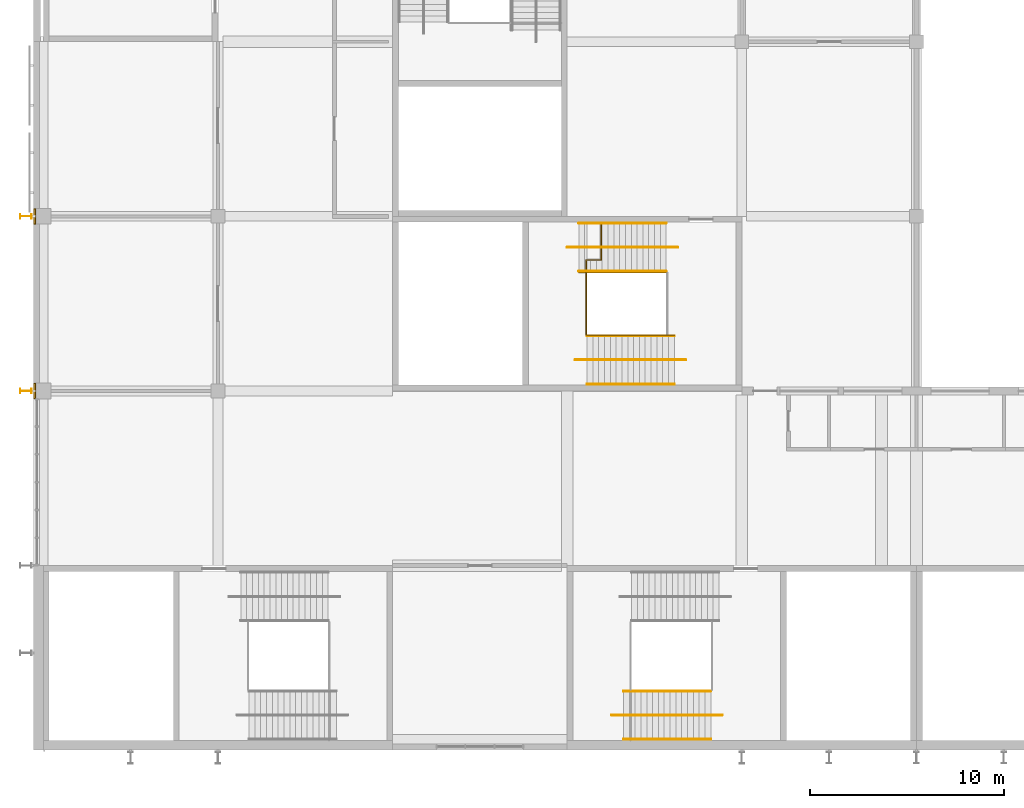
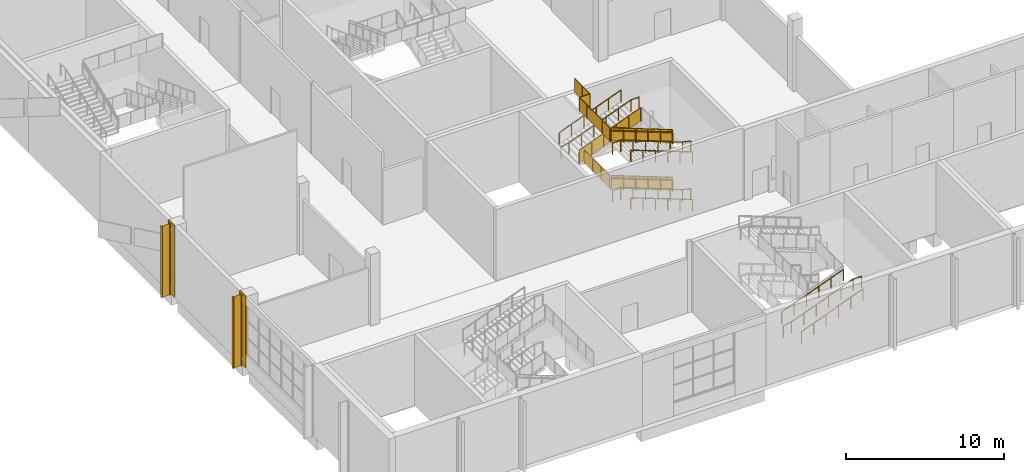
# One storey, part 61 of 84: 17 railings, 2 coverings, 2 shading devices.
"""IFC4 building model written with IfcOpenShell, lengths in metres."""

from ifc_helpers import new_model, si_unit, direction, frame, origin, origin_2d, place, context, subcontext, project, spatial, polyline, circle, i_section, outline, extrude, material, layer, layer_set, material_profile, profile_set, type_object, element, save


model = new_model("IFC4")

# Units and contexts
model_context = context("Model", 3, precision=1e-05, world=origin(), true_north=direction((0.0, 1.0)))
body_context = subcontext(model_context, "Body", "Model", "MODEL_VIEW")
ifc_project = project(units=[si_unit("LENGTHUNIT", "METRE"), si_unit("AREAUNIT", "SQUARE_METRE"), si_unit("VOLUMEUNIT", "CUBIC_METRE"), si_unit("PLANEANGLEUNIT", "RADIAN"), si_unit("MASSUNIT", "GRAM", prefix="KILO")], contexts=[model_context])

# Site, building, storey
site_placement = place(None, origin())
site = spatial("IfcSite", under=ifc_project, at=site_placement, CompositionType="ELEMENT")
building_placement = place(site_placement, origin())
building = spatial("IfcBuilding", under=site, at=building_placement, Name="Silverbay Arena", CompositionType="ELEMENT")
storey_placement = place(building_placement, frame((0.0, 0.0, 28.0)))
storey = spatial("IfcBuildingStorey", under=building, at=storey_placement, Name="L04", CompositionType="ELEMENT", Elevation=28.0)

# Coverings
ifc_material_1 = material(Name="Aluminium composite cladding", Category="aluminium")
ifc_layer = layer(ifc_material_1, 0.10009765625)
ifc_layer_set = layer_set([ifc_layer], Name="Aluminium composite cladding")
covering_type = type_object("IfcCoveringType", Name="Column cladding 100", PredefinedType="CLADDING", material=ifc_layer_set)
covering_1_placement = place(storey_placement, origin())
element("IfcCovering", 1, at=covering_1_placement, inside=storey, type_object=covering_type, Name="West column cladding L04 5", PredefinedType="CLADDING", context=body_context, shape_type="SweptSolid", body=[
    extrude(outline(polyline([(53.5, 35.60009765625), (53.60009765625, 35.60009765625), (53.60009765625, 36.39990234375), (53.5, 36.39990234375), (53.5, 35.60009765625)])), origin(), (0.0, 0.0, 1.0), 5.5),
])
covering_2_placement = place(storey_placement, origin())
element("IfcCovering", 2, at=covering_2_placement, inside=storey, type_object=covering_type, Name="West column cladding L04 7", PredefinedType="CLADDING", context=body_context, shape_type="SweptSolid", body=[
    extrude(outline(polyline([(53.5, 44.60009765625), (53.60009765625, 44.60009765625), (53.60009765625, 45.39990234375), (53.5, 45.39990234375), (53.5, 44.60009765625)])), origin(), (0.0, 0.0, 1.0), 5.5),
])

# Railings
ifc_material_2 = material(Name="Stainless steel", Category="steel")
railing_type_1 = type_object("IfcRailingType", Name="Stair guard 1100", PredefinedType="GUARDRAIL", material=ifc_material_2)
railing_1_placement = place(storey_placement, frame((86.5205078125, 38.875, 0.114501953125)))
element("IfcRailing", 3, at=railing_1_placement, inside=storey, type_object=railing_type_1, Name="Stair ST-SW1 L04 to L05 flight 1 guard left", PredefinedType="GUARDRAIL", context=body_context, shape_type="SweptSolid", body=[
    extrude(circle(Radius=0.02392578125, at=origin_2d()), frame((0.0, 0.0, 1.076171875), z_axis=(-0.93417907455, 0.0, 0.356804507641), x_axis=(0.0, -1.0, 0.0)), (0.0, 0.0, 1.0), 4.817138671875),
    extrude(outline(polyline([(-0.008056640625, 0.046875), (0.907958984375, 0.396728515625), (0.907958984375, 1.39990234375), (-0.008056640625, 1.050048828125), (-0.008056640625, 0.046875)])), frame((0.0, -0.0029296875, 0.0), z_axis=(0.0, 1.0, 0.0), x_axis=(-1.0, 0.0, 0.0)), (0.0, 0.0, 1.0), 0.006103515625),
    extrude(outline(polyline([(-0.008056640625, 0.390625), (0.907958984375, 0.740478515625), (0.907958984375, 1.74365234375), (-0.008056640625, 1.393798828125), (-0.008056640625, 0.390625)])), frame((-0.89990234375, -0.0029296875, 0.0), z_axis=(0.0, 1.0, 0.0), x_axis=(-1.0, 0.0, 0.0)), (0.0, 0.0, 1.0), 0.006103515625),
    extrude(outline(polyline([(-0.008056640625, 0.734375), (0.907958984375, 1.084228515625), (0.907958984375, 2.08740234375), (-0.008056640625, 1.737548828125), (-0.008056640625, 0.734375)])), frame((-1.800048828125, -0.0029296875, 0.0), z_axis=(0.0, 1.0, 0.0), x_axis=(-1.0, 0.0, 0.0)), (0.0, 0.0, 1.0), 0.006103515625),
    extrude(outline(polyline([(-0.008056640625, 1.078125), (0.907958984375, 1.427978515625), (0.907958984375, 2.43115234375), (-0.008056640625, 2.081298828125), (-0.008056640625, 1.078125)])), frame((-2.699951171875, -0.0029296875, 0.0), z_axis=(0.0, 1.0, 0.0), x_axis=(-1.0, 0.0, 0.0)), (0.0, 0.0, 1.0), 0.006103515625),
    extrude(outline(polyline([(-0.008056640625, 1.421875), (0.907958984375, 1.771728515625), (0.907958984375, 2.77490234375), (-0.008056640625, 2.425048828125), (-0.008056640625, 1.421875)])), frame((-3.60009765625, -0.0029296875, 0.0), z_axis=(0.0, 1.0, 0.0), x_axis=(-1.0, 0.0, 0.0)), (0.0, 0.0, 1.0), 0.006103515625),
    extrude(circle(Radius=0.02099609375, at=origin_2d()), origin(), (0.0, 0.0, 1.0), 1.052001953125),
    extrude(circle(Radius=0.02099609375, at=origin_2d()), frame((-0.89990234375, 0.0, 0.34375)), (0.0, 0.0, 1.0), 1.052001953125),
    extrude(circle(Radius=0.02099609375, at=origin_2d()), frame((-1.800048828125, 0.0, 0.6875)), (0.0, 0.0, 1.0), 1.052001953125),
    extrude(circle(Radius=0.02099609375, at=origin_2d()), frame((-2.699951171875, 0.0, 1.03125)), (0.0, 0.0, 1.0), 1.052001953125),
    extrude(circle(Radius=0.02099609375, at=origin_2d()), frame((-3.60009765625, 0.0, 1.375)), (0.0, 0.0, 1.0), 1.052001953125),
    extrude(circle(Radius=0.02099609375, at=origin_2d()), frame((-4.5, 0.0, 1.71875)), (0.0, 0.0, 1.0), 1.052001953125),
])
railing_2_placement = place(storey_placement, frame((81.60009765625, 42.125, 1.947998046875)))
element("IfcRailing", 4, at=railing_2_placement, inside=storey, type_object=railing_type_1, Name="Stair ST-SW1 L04 to L05 flight 2 guard right", PredefinedType="GUARDRAIL", context=body_context, shape_type="SweptSolid", body=[
    extrude(circle(Radius=0.02392578125, at=origin_2d()), frame((0.0, 0.0, 1.076171875), z_axis=(0.93417907455, 0.0, 0.356804507641), x_axis=(0.0, 1.0, 0.0)), (0.0, 0.0, 1.0), 4.817138671875),
    extrude(outline(polyline([(-0.008056640625, 0.046875), (0.907958984375, 0.396728515625), (0.907958984375, 1.39990234375), (-0.008056640625, 1.050048828125), (-0.008056640625, 0.046875)])), frame((0.0, 0.0029296875, 0.0), z_axis=(0.0, -1.0, 0.0), x_axis=(1.0, 0.0, 0.0)), (0.0, 0.0, 1.0), 0.006103515625),
    extrude(outline(polyline([(-0.008056640625, 0.390625), (0.907958984375, 0.740478515625), (0.907958984375, 1.74365234375), (-0.008056640625, 1.393798828125), (-0.008056640625, 0.390625)])), frame((0.89990234375, 0.0029296875, 0.0), z_axis=(0.0, -1.0, 0.0), x_axis=(1.0, 0.0, 0.0)), (0.0, 0.0, 1.0), 0.006103515625),
    extrude(outline(polyline([(-0.008056640625, 0.734375), (0.907958984375, 1.084228515625), (0.907958984375, 2.08740234375), (-0.008056640625, 1.737548828125), (-0.008056640625, 0.734375)])), frame((1.800048828125, 0.0029296875, 0.0), z_axis=(0.0, -1.0, 0.0), x_axis=(1.0, 0.0, 0.0)), (0.0, 0.0, 1.0), 0.006103515625),
    extrude(outline(polyline([(-0.008056640625, 1.078125), (0.907958984375, 1.427978515625), (0.907958984375, 2.43115234375), (-0.008056640625, 2.081298828125), (-0.008056640625, 1.078125)])), frame((2.699951171875, 0.0029296875, 0.0), z_axis=(0.0, -1.0, 0.0), x_axis=(1.0, 0.0, 0.0)), (0.0, 0.0, 1.0), 0.006103515625),
    extrude(outline(polyline([(-0.008056640625, 1.421875), (0.907958984375, 1.771728515625), (0.907958984375, 2.77490234375), (-0.008056640625, 2.425048828125), (-0.008056640625, 1.421875)])), frame((3.60009765625, 0.0029296875, 0.0), z_axis=(0.0, -1.0, 0.0), x_axis=(1.0, 0.0, 0.0)), (0.0, 0.0, 1.0), 0.006103515625),
    extrude(circle(Radius=0.02099609375, at=origin_2d()), origin(), (0.0, 0.0, 1.0), 1.052001953125),
    extrude(circle(Radius=0.02099609375, at=origin_2d()), frame((0.89990234375, 0.0, 0.34375)), (0.0, 0.0, 1.0), 1.052001953125),
    extrude(circle(Radius=0.02099609375, at=origin_2d()), frame((1.800048828125, 0.0, 0.6875)), (0.0, 0.0, 1.0), 1.052001953125),
    extrude(circle(Radius=0.02099609375, at=origin_2d()), frame((2.699951171875, 0.0, 1.03125)), (0.0, 0.0, 1.0), 1.052001953125),
    extrude(circle(Radius=0.02099609375, at=origin_2d()), frame((3.60009765625, 0.0, 1.375)), (0.0, 0.0, 1.0), 1.052001953125),
    extrude(circle(Radius=0.02099609375, at=origin_2d()), frame((4.5, 0.0, 1.71875)), (0.0, 0.0, 1.0), 1.052001953125),
])
railing_3_placement = place(storey_placement, frame((86.5205078125, 38.875, 3.78125)))
element("IfcRailing", 5, at=railing_3_placement, inside=storey, type_object=railing_type_1, Name="Stair ST-SW1 L04 to L05 flight 3 guard left", PredefinedType="GUARDRAIL", context=body_context, shape_type="SweptSolid", body=[
    extrude(circle(Radius=0.02392578125, at=origin_2d()), frame((0.0, 0.0, 1.076171875), z_axis=(-0.93417907455, 0.0, 0.356804507641), x_axis=(0.0, -1.0, 0.0)), (0.0, 0.0, 1.0), 4.817138671875),
    extrude(outline(polyline([(-0.008056640625, 0.046875), (0.907958984375, 0.396728515625), (0.907958984375, 1.39990234375), (-0.008056640625, 1.050048828125), (-0.008056640625, 0.046875)])), frame((0.0, -0.0029296875, 0.0), z_axis=(0.0, 1.0, 0.0), x_axis=(-1.0, 0.0, 0.0)), (0.0, 0.0, 1.0), 0.006103515625),
    extrude(outline(polyline([(-0.008056640625, 0.390625), (0.907958984375, 0.740478515625), (0.907958984375, 1.74365234375), (-0.008056640625, 1.393798828125), (-0.008056640625, 0.390625)])), frame((-0.89990234375, -0.0029296875, 0.0), z_axis=(0.0, 1.0, 0.0), x_axis=(-1.0, 0.0, 0.0)), (0.0, 0.0, 1.0), 0.006103515625),
    extrude(outline(polyline([(-0.008056640625, 0.734375), (0.907958984375, 1.084228515625), (0.907958984375, 2.08740234375), (-0.008056640625, 1.737548828125), (-0.008056640625, 0.734375)])), frame((-1.800048828125, -0.0029296875, 0.0), z_axis=(0.0, 1.0, 0.0), x_axis=(-1.0, 0.0, 0.0)), (0.0, 0.0, 1.0), 0.006103515625),
    extrude(outline(polyline([(-0.008056640625, 1.078125), (0.907958984375, 1.427978515625), (0.907958984375, 2.43115234375), (-0.008056640625, 2.081298828125), (-0.008056640625, 1.078125)])), frame((-2.699951171875, -0.0029296875, 0.0), z_axis=(0.0, 1.0, 0.0), x_axis=(-1.0, 0.0, 0.0)), (0.0, 0.0, 1.0), 0.006103515625),
    extrude(outline(polyline([(-0.008056640625, 1.421875), (0.907958984375, 1.771728515625), (0.907958984375, 2.77490234375), (-0.008056640625, 2.425048828125), (-0.008056640625, 1.421875)])), frame((-3.60009765625, -0.0029296875, 0.0), z_axis=(0.0, 1.0, 0.0), x_axis=(-1.0, 0.0, 0.0)), (0.0, 0.0, 1.0), 0.006103515625),
    extrude(circle(Radius=0.02099609375, at=origin_2d()), origin(), (0.0, 0.0, 1.0), 1.052001953125),
    extrude(circle(Radius=0.02099609375, at=origin_2d()), frame((-0.89990234375, 0.0, 0.34375)), (0.0, 0.0, 1.0), 1.052001953125),
    extrude(circle(Radius=0.02099609375, at=origin_2d()), frame((-1.800048828125, 0.0, 0.6875)), (0.0, 0.0, 1.0), 1.052001953125),
    extrude(circle(Radius=0.02099609375, at=origin_2d()), frame((-2.699951171875, 0.0, 1.03125)), (0.0, 0.0, 1.0), 1.052001953125),
    extrude(circle(Radius=0.02099609375, at=origin_2d()), frame((-3.60009765625, 0.0, 1.375)), (0.0, 0.0, 1.0), 1.052001953125),
    extrude(circle(Radius=0.02099609375, at=origin_2d()), frame((-4.5, 0.0, 1.71875)), (0.0, 0.0, 1.0), 1.052001953125),
])
railing_4_placement = place(storey_placement, frame((81.970458984375, 42.10009765625, 1.833251953125)))
element("IfcRailing", 6, at=railing_4_placement, inside=storey, type_object=railing_type_1, Name="Stair ST-SW1 L04 to L05 landing 1 guard", PredefinedType="GUARDRAIL", context=body_context, shape_type="SweptSolid", body=[
    extrude(circle(Radius=0.02392578125, at=origin_2d()), frame((0.0, 0.0, 1.076171875), z_axis=(0.0, -1.0, 0.0), x_axis=(1.0, 0.0, 0.0)), (0.0, 0.0, 1.0), 3.2001953125),
    extrude(outline(polyline([(-0.008056640625, 0.050048828125), (1.07470703125, 0.050048828125), (1.07470703125, 1.052978515625), (-0.008056640625, 1.052978515625), (-0.008056640625, 0.050048828125)])), frame((0.0029296875, 0.0, 0.0), z_axis=(-1.0, 0.0, 0.0), x_axis=(0.0, -1.0, 0.0)), (0.0, 0.0, 1.0), 0.006103515625),
    extrude(outline(polyline([(-0.008056640625, 0.050048828125), (1.07470703125, 0.050048828125), (1.07470703125, 1.052978515625), (-0.008056640625, 1.052978515625), (-0.008056640625, 0.050048828125)])), frame((0.0029296875, -1.066650390625, 0.0), z_axis=(-1.0, 0.0, 0.0), x_axis=(0.0, -1.0, 0.0)), (0.0, 0.0, 1.0), 0.006103515625),
    extrude(outline(polyline([(-0.008056640625, 0.050048828125), (1.07470703125, 0.050048828125), (1.07470703125, 1.052978515625), (-0.008056640625, 1.052978515625), (-0.008056640625, 0.050048828125)])), frame((0.0029296875, -2.133544921875, 0.0), z_axis=(-1.0, 0.0, 0.0), x_axis=(0.0, -1.0, 0.0)), (0.0, 0.0, 1.0), 0.006103515625),
    extrude(circle(Radius=0.02099609375, at=origin_2d()), origin(), (0.0, 0.0, 1.0), 1.052001953125),
    extrude(circle(Radius=0.02099609375, at=origin_2d()), frame((0.0, -1.066650390625, 0.0)), (0.0, 0.0, 1.0), 1.052001953125),
    extrude(circle(Radius=0.02099609375, at=origin_2d()), frame((0.0, -2.133544921875, 0.0)), (0.0, 0.0, 1.0), 1.052001953125),
    extrude(circle(Radius=0.02099609375, at=origin_2d()), frame((0.0, -3.2001953125, 0.0)), (0.0, 0.0, 1.0), 1.052001953125),
])
railing_5_placement = place(storey_placement, frame((81.970458984375, 38.89990234375, 5.5)))
element("IfcRailing", 7, at=railing_5_placement, inside=storey, type_object=railing_type_1, Name="Stair ST-SW1 L04 to L05 landing 3 guard", PredefinedType="GUARDRAIL", context=body_context, shape_type="SweptSolid", body=[
    extrude(circle(Radius=0.02392578125, at=origin_2d()), frame((0.0, 0.0, 1.076171875), z_axis=(0.0, 1.0, 0.0), x_axis=(-1.0, 0.0, 0.0)), (0.0, 0.0, 1.0), 3.85009765625),
    extrude(outline(polyline([(-0.008056640625, 0.050048828125), (0.970458984375, 0.050048828125), (0.970458984375, 1.052978515625), (-0.008056640625, 1.052978515625), (-0.008056640625, 0.050048828125)])), frame((-0.0029296875, 0.0, 0.0), z_axis=(1.0, 0.0, 0.0), x_axis=(0.0, 1.0, 0.0)), (0.0, 0.0, 1.0), 0.006103515625),
    extrude(outline(polyline([(-0.008056640625, 0.050048828125), (0.970458984375, 0.050048828125), (0.970458984375, 1.052978515625), (-0.008056640625, 1.052978515625), (-0.008056640625, 0.050048828125)])), frame((-0.0029296875, 0.96240234375, 0.0), z_axis=(1.0, 0.0, 0.0), x_axis=(0.0, 1.0, 0.0)), (0.0, 0.0, 1.0), 0.006103515625),
    extrude(outline(polyline([(-0.008056640625, 0.050048828125), (0.970458984375, 0.050048828125), (0.970458984375, 1.052978515625), (-0.008056640625, 1.052978515625), (-0.008056640625, 0.050048828125)])), frame((-0.0029296875, 1.925048828125, 0.0), z_axis=(1.0, 0.0, 0.0), x_axis=(0.0, 1.0, 0.0)), (0.0, 0.0, 1.0), 0.006103515625),
    extrude(outline(polyline([(-0.008056640625, 0.050048828125), (0.970458984375, 0.050048828125), (0.970458984375, 1.052978515625), (-0.008056640625, 1.052978515625), (-0.008056640625, 0.050048828125)])), frame((-0.0029296875, 2.8876953125, 0.0), z_axis=(1.0, 0.0, 0.0), x_axis=(0.0, 1.0, 0.0)), (0.0, 0.0, 1.0), 0.006103515625),
    extrude(circle(Radius=0.02392578125, at=origin_2d()), frame((0.0, 3.85009765625, 1.076171875), z_axis=(1.0, 0.0, 0.0), x_axis=(0.0, 1.0, 0.0)), (0.0, 0.0, 1.0), 0.780029296875),
    extrude(outline(polyline([(-0.008056640625, 0.050048828125), (0.7880859375, 0.050048828125), (0.7880859375, 1.052978515625), (-0.008056640625, 1.052978515625), (-0.008056640625, 0.050048828125)])), frame((0.0, 3.85302734375, 0.0), z_axis=(0.0, -1.0, 0.0), x_axis=(1.0, 0.0, 0.0)), (0.0, 0.0, 1.0), 0.006103515625),
    extrude(circle(Radius=0.02392578125, at=origin_2d()), frame((0.780029296875, 3.85009765625, 1.076171875), z_axis=(0.0, 1.0, 0.0), x_axis=(-1.0, 0.0, 0.0)), (0.0, 0.0, 1.0), 1.949951171875),
    extrude(outline(polyline([(-0.008056640625, 0.050048828125), (0.98291015625, 0.050048828125), (0.98291015625, 1.052978515625), (-0.008056640625, 1.052978515625), (-0.008056640625, 0.050048828125)])), frame((0.777099609375, 3.85009765625, 0.0), z_axis=(1.0, 0.0, 0.0), x_axis=(0.0, 1.0, 0.0)), (0.0, 0.0, 1.0), 0.006103515625),
    extrude(outline(polyline([(-0.008056640625, 0.050048828125), (0.98291015625, 0.050048828125), (0.98291015625, 1.052978515625), (-0.008056640625, 1.052978515625), (-0.008056640625, 0.050048828125)])), frame((0.777099609375, 4.8251953125, 0.0), z_axis=(1.0, 0.0, 0.0), x_axis=(0.0, 1.0, 0.0)), (0.0, 0.0, 1.0), 0.006103515625),
    extrude(circle(Radius=0.02099609375, at=origin_2d()), origin(), (0.0, 0.0, 1.0), 1.052001953125),
    extrude(circle(Radius=0.02099609375, at=origin_2d()), frame((0.0, 0.96240234375, 0.0)), (0.0, 0.0, 1.0), 1.052001953125),
    extrude(circle(Radius=0.02099609375, at=origin_2d()), frame((0.0, 1.925048828125, 0.0)), (0.0, 0.0, 1.0), 1.052001953125),
    extrude(circle(Radius=0.02099609375, at=origin_2d()), frame((0.0, 2.8876953125, 0.0)), (0.0, 0.0, 1.0), 1.052001953125),
    extrude(circle(Radius=0.02099609375, at=origin_2d()), frame((0.0, 3.85009765625, 0.0)), (0.0, 0.0, 1.0), 1.052001953125),
    extrude(circle(Radius=0.02099609375, at=origin_2d()), frame((0.780029296875, 3.85009765625, 0.0)), (0.0, 0.0, 1.0), 1.052001953125),
    extrude(circle(Radius=0.02099609375, at=origin_2d()), frame((0.780029296875, 4.8251953125, 0.0)), (0.0, 0.0, 1.0), 1.052001953125),
    extrude(circle(Radius=0.02099609375, at=origin_2d()), frame((0.780029296875, 5.800048828125, 0.0)), (0.0, 0.0, 1.0), 1.052001953125),
])
ifc_material_3 = material(Name="Stainless steel", Category="steel")
railing_type_2 = type_object("IfcRailingType", Name="Stair handrail 900", PredefinedType="HANDRAIL", material=ifc_material_3)
for number, where, name in (
    (8, (83.89990234375, 20.535888671875, 1.947998046875), "Stair ST-S1 L04 to L05 flight 2 handrail left"),
    (9, (83.89990234375, 18.050048828125, 1.947998046875), "Stair ST-S1 L04 to L05 flight 2 handrail right"),
):
    element("IfcRailing", number, at=place(storey_placement, frame(where)), inside=storey, type_object=railing_type_2, Name=name, PredefinedType="HANDRAIL", context=body_context, shape_type="SweptSolid", body=[
        extrude(circle(Radius=0.02392578125, at=origin_2d()), frame((0.0, 0.0, 0.8759765625), z_axis=(0.93417907455, 0.0, 0.356804507641), x_axis=(0.0, 1.0, 0.0)), (0.0, 0.0, 1.0), 4.817138671875),
        extrude(circle(Radius=0.02099609375, at=origin_2d()), origin(), (0.0, 0.0, 1.0), 0.851806640625),
        extrude(circle(Radius=0.02099609375, at=origin_2d()), frame((0.89990234375, 0.0, 0.34375)), (0.0, 0.0, 1.0), 0.851806640625),
        extrude(circle(Radius=0.02099609375, at=origin_2d()), frame((1.800048828125, 0.0, 0.6875)), (0.0, 0.0, 1.0), 0.851806640625),
        extrude(circle(Radius=0.02099609375, at=origin_2d()), frame((2.699951171875, 0.0, 1.03125)), (0.0, 0.0, 1.0), 0.851806640625),
        extrude(circle(Radius=0.02099609375, at=origin_2d()), frame((3.60009765625, 0.0, 1.375)), (0.0, 0.0, 1.0), 0.851806640625),
        extrude(circle(Radius=0.02099609375, at=origin_2d()), frame((4.5, 0.0, 1.71875)), (0.0, 0.0, 1.0), 0.851806640625),
    ])
railing_6_placement = place(storey_placement, frame((83.300048828125, 19.300048828125, 1.833251953125)))
element("IfcRailing", 10, at=railing_6_placement, inside=storey, type_object=railing_type_2, Name="Stair ST-S1 L04 to L05 flight 2 central handrail", PredefinedType="HANDRAIL", context=body_context, shape_type="SweptSolid", body=[
    extrude(circle(Radius=0.02392578125, at=origin_2d()), frame((0.0, 0.0, 0.8759765625), z_axis=(0.982191308576, 0.0, 0.187883563301), x_axis=(0.0, 1.0, 0.0)), (0.0, 0.0, 1.0), 0.61083984375),
    extrude(circle(Radius=0.02392578125, at=origin_2d()), frame((0.599853515625, 0.0, 0.99072265625), z_axis=(0.93417907455, 0.0, 0.356804507641), x_axis=(0.0, 1.0, 0.0)), (0.0, 0.0, 1.0), 4.817138671875),
    extrude(circle(Radius=0.02392578125, at=origin_2d()), frame((5.099853515625, 0.0, 2.70947265625), z_axis=(1.0, 0.0, 0.0), x_axis=(0.0, 1.0, 0.0)), (0.0, 0.0, 1.0), 0.60009765625),
    extrude(circle(Radius=0.02099609375, at=origin_2d()), origin(), (0.0, 0.0, 1.0), 0.851806640625),
    extrude(circle(Radius=0.02099609375, at=origin_2d()), frame((0.599853515625, 0.0, 0.11474609375)), (0.0, 0.0, 1.0), 0.851806640625),
    extrude(circle(Radius=0.02099609375, at=origin_2d()), frame((1.499755859375, 0.0, 0.45849609375)), (0.0, 0.0, 1.0), 0.851806640625),
    extrude(circle(Radius=0.02099609375, at=origin_2d()), frame((2.39990234375, 0.0, 0.80224609375)), (0.0, 0.0, 1.0), 0.851806640625),
    extrude(circle(Radius=0.02099609375, at=origin_2d()), frame((3.2998046875, 0.0, 1.14599609375)), (0.0, 0.0, 1.0), 0.851806640625),
    extrude(circle(Radius=0.02099609375, at=origin_2d()), frame((4.199951171875, 0.0, 1.48974609375)), (0.0, 0.0, 1.0), 0.851806640625),
    extrude(circle(Radius=0.02099609375, at=origin_2d()), frame((5.099853515625, 0.0, 1.83349609375)), (0.0, 0.0, 1.0), 0.851806640625),
    extrude(circle(Radius=0.02099609375, at=origin_2d()), frame((5.699951171875, 0.0, 1.83349609375)), (0.0, 0.0, 1.0), 0.851806640625),
])
for number, where, name in (
    (11, (86.5205078125, 38.8359375, 0.114501953125), "Stair ST-SW1 L04 to L05 flight 1 handrail left"),
    (12, (86.5205078125, 36.35009765625, 0.114501953125), "Stair ST-SW1 L04 to L05 flight 1 handrail right"),
):
    element("IfcRailing", number, at=place(storey_placement, frame(where)), inside=storey, type_object=railing_type_2, Name=name, PredefinedType="HANDRAIL", context=body_context, shape_type="SweptSolid", body=[
        extrude(circle(Radius=0.02392578125, at=origin_2d()), frame((0.0, 0.0, 0.8759765625), z_axis=(-0.93417907455, 0.0, 0.356804507641), x_axis=(0.0, -1.0, 0.0)), (0.0, 0.0, 1.0), 4.817138671875),
        extrude(circle(Radius=0.02099609375, at=origin_2d()), origin(), (0.0, 0.0, 1.0), 0.851806640625),
        extrude(circle(Radius=0.02099609375, at=origin_2d()), frame((-0.89990234375, 0.0, 0.34375)), (0.0, 0.0, 1.0), 0.851806640625),
        extrude(circle(Radius=0.02099609375, at=origin_2d()), frame((-1.800048828125, 0.0, 0.6875)), (0.0, 0.0, 1.0), 0.851806640625),
        extrude(circle(Radius=0.02099609375, at=origin_2d()), frame((-2.699951171875, 0.0, 1.03125)), (0.0, 0.0, 1.0), 0.851806640625),
        extrude(circle(Radius=0.02099609375, at=origin_2d()), frame((-3.60009765625, 0.0, 1.375)), (0.0, 0.0, 1.0), 0.851806640625),
        extrude(circle(Radius=0.02099609375, at=origin_2d()), frame((-4.5, 0.0, 1.71875)), (0.0, 0.0, 1.0), 0.851806640625),
    ])
railing_7_placement = place(storey_placement, frame((87.120361328125, 37.60009765625, 0.0)))
element("IfcRailing", 13, at=railing_7_placement, inside=storey, type_object=railing_type_2, Name="Stair ST-SW1 L04 to L05 flight 1 central handrail", PredefinedType="HANDRAIL", context=body_context, shape_type="SweptSolid", body=[
    extrude(circle(Radius=0.02392578125, at=origin_2d()), frame((0.0, 0.0, 0.8759765625), z_axis=(-0.982265007716, 0.0, 0.187497878966), x_axis=(0.0, -1.0, 0.0)), (0.0, 0.0, 1.0), 0.610595703125),
    extrude(circle(Radius=0.02392578125, at=origin_2d()), frame((-0.599853515625, 0.0, 0.990234375), z_axis=(-0.93417907455, 0.0, 0.356804507641), x_axis=(0.0, -1.0, 0.0)), (0.0, 0.0, 1.0), 4.817138671875),
    extrude(circle(Radius=0.02392578125, at=origin_2d()), frame((-5.099853515625, 0.0, 2.708984375), z_axis=(-1.0, 0.0, 0.0), x_axis=(0.0, -1.0, 0.0)), (0.0, 0.0, 1.0), 0.60009765625),
    extrude(circle(Radius=0.02099609375, at=origin_2d()), origin(), (0.0, 0.0, 1.0), 0.851806640625),
    extrude(circle(Radius=0.02099609375, at=origin_2d()), frame((-0.599853515625, 0.0, 0.114501953125)), (0.0, 0.0, 1.0), 0.851806640625),
    extrude(circle(Radius=0.02099609375, at=origin_2d()), frame((-1.499755859375, 0.0, 0.458251953125)), (0.0, 0.0, 1.0), 0.851806640625),
    extrude(circle(Radius=0.02099609375, at=origin_2d()), frame((-2.39990234375, 0.0, 0.802001953125)), (0.0, 0.0, 1.0), 0.851806640625),
    extrude(circle(Radius=0.02099609375, at=origin_2d()), frame((-3.2998046875, 0.0, 1.145751953125)), (0.0, 0.0, 1.0), 0.851806640625),
    extrude(circle(Radius=0.02099609375, at=origin_2d()), frame((-4.199951171875, 0.0, 1.489501953125)), (0.0, 0.0, 1.0), 0.851806640625),
    extrude(circle(Radius=0.02099609375, at=origin_2d()), frame((-5.099853515625, 0.0, 1.833251953125)), (0.0, 0.0, 1.0), 0.851806640625),
    extrude(circle(Radius=0.02099609375, at=origin_2d()), frame((-5.699951171875, 0.0, 1.833251953125)), (0.0, 0.0, 1.0), 0.851806640625),
])
for number, where, name in (
    (14, (81.60009765625, 44.64990234375, 1.947998046875), "Stair ST-SW1 L04 to L05 flight 2 handrail left"),
    (15, (81.60009765625, 42.1640625, 1.947998046875), "Stair ST-SW1 L04 to L05 flight 2 handrail right"),
):
    element("IfcRailing", number, at=place(storey_placement, frame(where)), inside=storey, type_object=railing_type_2, Name=name, PredefinedType="HANDRAIL", context=body_context, shape_type="SweptSolid", body=[
        extrude(circle(Radius=0.02392578125, at=origin_2d()), frame((0.0, 0.0, 0.8759765625), z_axis=(0.93417907455, 0.0, 0.356804507641), x_axis=(0.0, 1.0, 0.0)), (0.0, 0.0, 1.0), 4.817138671875),
        extrude(circle(Radius=0.02099609375, at=origin_2d()), origin(), (0.0, 0.0, 1.0), 0.851806640625),
        extrude(circle(Radius=0.02099609375, at=origin_2d()), frame((0.89990234375, 0.0, 0.34375)), (0.0, 0.0, 1.0), 0.851806640625),
        extrude(circle(Radius=0.02099609375, at=origin_2d()), frame((1.800048828125, 0.0, 0.6875)), (0.0, 0.0, 1.0), 0.851806640625),
        extrude(circle(Radius=0.02099609375, at=origin_2d()), frame((2.699951171875, 0.0, 1.03125)), (0.0, 0.0, 1.0), 0.851806640625),
        extrude(circle(Radius=0.02099609375, at=origin_2d()), frame((3.60009765625, 0.0, 1.375)), (0.0, 0.0, 1.0), 0.851806640625),
        extrude(circle(Radius=0.02099609375, at=origin_2d()), frame((4.5, 0.0, 1.71875)), (0.0, 0.0, 1.0), 0.851806640625),
    ])
railing_8_placement = place(storey_placement, frame((81.0, 43.39990234375, 1.833251953125)))
element("IfcRailing", 16, at=railing_8_placement, inside=storey, type_object=railing_type_2, Name="Stair ST-SW1 L04 to L05 flight 2 central handrail", PredefinedType="HANDRAIL", context=body_context, shape_type="SweptSolid", body=[
    extrude(circle(Radius=0.02392578125, at=origin_2d()), frame((0.0, 0.0, 0.8759765625), z_axis=(0.982205411617, 0.0, 0.1878098224), x_axis=(0.0, 1.0, 0.0)), (0.0, 0.0, 1.0), 0.611083984375),
    extrude(circle(Radius=0.02392578125, at=origin_2d()), frame((0.60009765625, 0.0, 0.99072265625), z_axis=(0.93417907455, 0.0, 0.356804507641), x_axis=(0.0, 1.0, 0.0)), (0.0, 0.0, 1.0), 4.817138671875),
    extrude(circle(Radius=0.02392578125, at=origin_2d()), frame((5.10009765625, 0.0, 2.70947265625), z_axis=(1.0, 0.0, 0.0), x_axis=(0.0, 1.0, 0.0)), (0.0, 0.0, 1.0), 0.599853515625),
    extrude(circle(Radius=0.02099609375, at=origin_2d()), origin(), (0.0, 0.0, 1.0), 0.851806640625),
    extrude(circle(Radius=0.02099609375, at=origin_2d()), frame((0.60009765625, 0.0, 0.11474609375)), (0.0, 0.0, 1.0), 0.851806640625),
    extrude(circle(Radius=0.02099609375, at=origin_2d()), frame((1.5, 0.0, 0.45849609375)), (0.0, 0.0, 1.0), 0.851806640625),
    extrude(circle(Radius=0.02099609375, at=origin_2d()), frame((2.400146484375, 0.0, 0.80224609375)), (0.0, 0.0, 1.0), 0.851806640625),
    extrude(circle(Radius=0.02099609375, at=origin_2d()), frame((3.300048828125, 0.0, 1.14599609375)), (0.0, 0.0, 1.0), 0.851806640625),
    extrude(circle(Radius=0.02099609375, at=origin_2d()), frame((4.2001953125, 0.0, 1.48974609375)), (0.0, 0.0, 1.0), 0.851806640625),
    extrude(circle(Radius=0.02099609375, at=origin_2d()), frame((5.10009765625, 0.0, 1.83349609375)), (0.0, 0.0, 1.0), 0.851806640625),
    extrude(circle(Radius=0.02099609375, at=origin_2d()), frame((5.699951171875, 0.0, 1.83349609375)), (0.0, 0.0, 1.0), 0.851806640625),
])
for number, where, name in (
    (17, (86.5205078125, 38.8359375, 3.78125), "Stair ST-SW1 L04 to L05 flight 3 handrail left"),
    (18, (86.5205078125, 36.35009765625, 3.78125), "Stair ST-SW1 L04 to L05 flight 3 handrail right"),
):
    element("IfcRailing", number, at=place(storey_placement, frame(where)), inside=storey, type_object=railing_type_2, Name=name, PredefinedType="HANDRAIL", context=body_context, shape_type="SweptSolid", body=[
        extrude(circle(Radius=0.02392578125, at=origin_2d()), frame((0.0, 0.0, 0.8759765625), z_axis=(-0.93417907455, 0.0, 0.356804507641), x_axis=(0.0, -1.0, 0.0)), (0.0, 0.0, 1.0), 4.817138671875),
        extrude(circle(Radius=0.02099609375, at=origin_2d()), origin(), (0.0, 0.0, 1.0), 0.851806640625),
        extrude(circle(Radius=0.02099609375, at=origin_2d()), frame((-0.89990234375, 0.0, 0.34375)), (0.0, 0.0, 1.0), 0.851806640625),
        extrude(circle(Radius=0.02099609375, at=origin_2d()), frame((-1.800048828125, 0.0, 0.6875)), (0.0, 0.0, 1.0), 0.851806640625),
        extrude(circle(Radius=0.02099609375, at=origin_2d()), frame((-2.699951171875, 0.0, 1.03125)), (0.0, 0.0, 1.0), 0.851806640625),
        extrude(circle(Radius=0.02099609375, at=origin_2d()), frame((-3.60009765625, 0.0, 1.375)), (0.0, 0.0, 1.0), 0.851806640625),
        extrude(circle(Radius=0.02099609375, at=origin_2d()), frame((-4.5, 0.0, 1.71875)), (0.0, 0.0, 1.0), 0.851806640625),
    ])
railing_9_placement = place(storey_placement, frame((87.120361328125, 37.60009765625, 3.666748046875)))
element("IfcRailing", 19, at=railing_9_placement, inside=storey, type_object=railing_type_2, Name="Stair ST-SW1 L04 to L05 flight 3 central handrail", PredefinedType="HANDRAIL", context=body_context, shape_type="SweptSolid", body=[
    extrude(circle(Radius=0.02392578125, at=origin_2d()), frame((0.0, 0.0, 0.8759765625), z_axis=(-0.982265007716, 0.0, 0.187497878966), x_axis=(0.0, -1.0, 0.0)), (0.0, 0.0, 1.0), 0.610595703125),
    extrude(circle(Radius=0.02392578125, at=origin_2d()), frame((-0.599853515625, 0.0, 0.990234375), z_axis=(-0.93417907455, 0.0, 0.356804507641), x_axis=(0.0, -1.0, 0.0)), (0.0, 0.0, 1.0), 4.817138671875),
    extrude(circle(Radius=0.02392578125, at=origin_2d()), frame((-5.099853515625, 0.0, 2.708984375), z_axis=(-1.0, 0.0, 0.0), x_axis=(0.0, -1.0, 0.0)), (0.0, 0.0, 1.0), 0.60009765625),
    extrude(circle(Radius=0.02099609375, at=origin_2d()), origin(), (0.0, 0.0, 1.0), 0.851806640625),
    extrude(circle(Radius=0.02099609375, at=origin_2d()), frame((-0.599853515625, 0.0, 0.114501953125)), (0.0, 0.0, 1.0), 0.851806640625),
    extrude(circle(Radius=0.02099609375, at=origin_2d()), frame((-1.499755859375, 0.0, 0.458251953125)), (0.0, 0.0, 1.0), 0.851806640625),
    extrude(circle(Radius=0.02099609375, at=origin_2d()), frame((-2.39990234375, 0.0, 0.802001953125)), (0.0, 0.0, 1.0), 0.851806640625),
    extrude(circle(Radius=0.02099609375, at=origin_2d()), frame((-3.2998046875, 0.0, 1.145751953125)), (0.0, 0.0, 1.0), 0.851806640625),
    extrude(circle(Radius=0.02099609375, at=origin_2d()), frame((-4.199951171875, 0.0, 1.489501953125)), (0.0, 0.0, 1.0), 0.851806640625),
    extrude(circle(Radius=0.02099609375, at=origin_2d()), frame((-5.099853515625, 0.0, 1.833251953125)), (0.0, 0.0, 1.0), 0.851806640625),
    extrude(circle(Radius=0.02099609375, at=origin_2d()), frame((-5.699951171875, 0.0, 1.833251953125)), (0.0, 0.0, 1.0), 0.851806640625),
])

# Shading devices
ifc_material_4 = material(Name="Steel S355", Category="steel")
ifc_material_profile = material_profile(ifc_material_4, i_section(OverallWidth=0.2275390625, OverallDepth=0.6025390625, WebThickness=0.010498046875, FlangeThickness=0.014892578125, at=origin_2d()), Name="UB 610x229x101")
ifc_profile_set = profile_set([ifc_material_profile], Name="Steel S355")
shading_device_type = type_object("IfcShadingDeviceType", Name="Steel fin UB 610x229x101", PredefinedType="USERDEFINED", material=ifc_profile_set)
for number, where, z_axis, x_axis, name in (
    (20, (53.0986328125, 36.0, 0.0), (0.0, 0.0, 1.0), (0.0, 1.0, 0.0), "Steel fin W L04 4"),
    (21, (53.0986328125, 45.0, 0.0), (0.0, 0.0, 1.0), (0.0, 1.0, 0.0), "Steel fin W L04 6"),
):
    element("IfcShadingDevice", number, at=place(storey_placement, frame(where, z_axis=z_axis, x_axis=x_axis)), inside=storey, type_object=shading_device_type, Name=name, ObjectType="FIN", PredefinedType="USERDEFINED", context=body_context, shape_type="SweptSolid", body=[
        extrude(i_section(OverallWidth=0.2275390625, OverallDepth=0.6025390625, WebThickness=0.010498046875, FlangeThickness=0.014892578125, at=origin_2d()), origin(), (0.0, 0.0, 1.0), 5.5),
    ])

save(model, "model.ifc")
